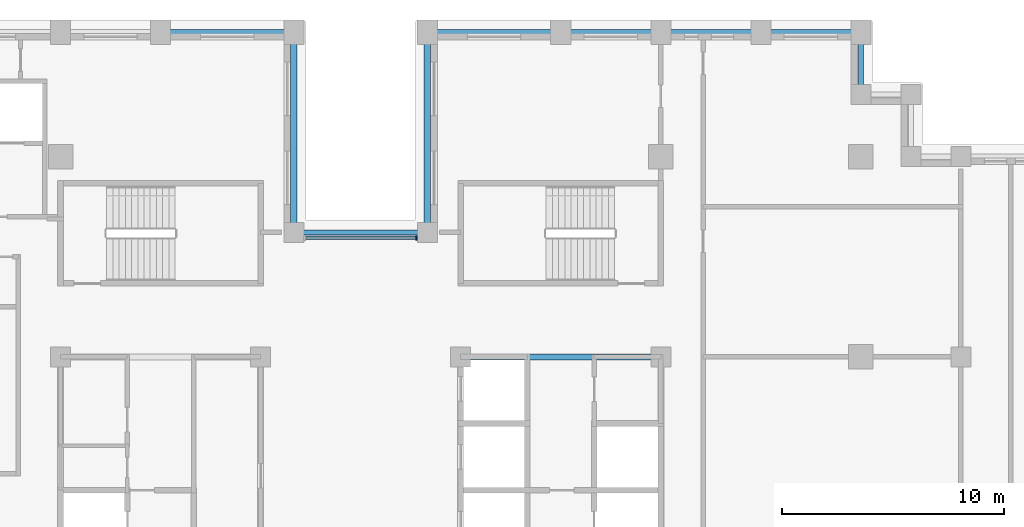
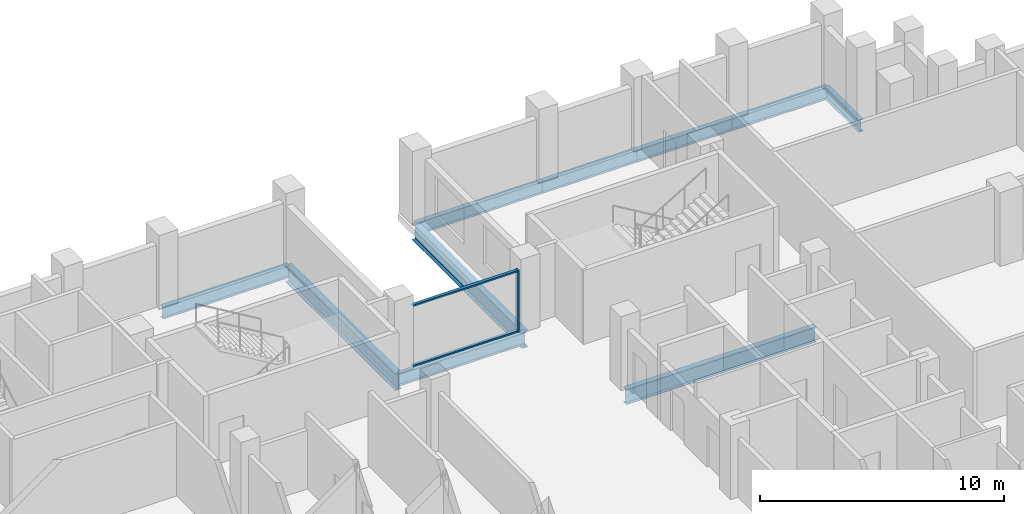
# One storey, part 4 of 15: 10 beams, 3 members, 1 element without a shape of its own.
"""IFC4 building model written with IfcOpenShell, lengths in metres."""

from ifc_helpers import new_model, si_unit, direction, frame, origin, origin_2d, place, context, subcontext, project, spatial, rectangle, i_section, extrude, material, layer, layer_set, material_profile, profile_set, type_object, element, aggregate, save


model = new_model("IFC4")

# Units and contexts
model_context = context("Model", 3, precision=1e-05, world=origin(), true_north=direction((0.0, 1.0)))
body_context = subcontext(model_context, "Body", "Model", "MODEL_VIEW")
ifc_project = project(units=[si_unit("LENGTHUNIT", "METRE"), si_unit("AREAUNIT", "SQUARE_METRE"), si_unit("VOLUMEUNIT", "CUBIC_METRE"), si_unit("PLANEANGLEUNIT", "RADIAN"), si_unit("MASSUNIT", "GRAM", prefix="KILO")], contexts=[model_context])

# Site, building, storey
site_placement = place(None, origin())
site = spatial("IfcSite", under=ifc_project, at=site_placement, CompositionType="ELEMENT")
building_placement = place(site_placement, origin())
building = spatial("IfcBuilding", under=site, at=building_placement, Name="Corbelhall Arena Tower", CompositionType="ELEMENT")
storey_placement = place(building_placement, frame((0.0, 0.0, 146.0)))
storey = spatial("IfcBuildingStorey", under=building, at=storey_placement, Name="L28", CompositionType="ELEMENT", Elevation=146.0)

# Curtain wall, members
ifc_material_1 = material(Name="Aluminium black anodised", Category="aluminium")
ifc_layer = layer(ifc_material_1, 0.199951171875)
ifc_layer_set = layer_set([ifc_layer], Name="EV-CW1 Slot back wall")
curtain_wall_type = type_object("IfcCurtainWallType", Name="EV-CW1 Slot back wall", PredefinedType="NOTDEFINED", material=ifc_layer_set)
curtain_wall_placement = place(storey_placement, origin())
curtain_wall = element("IfcCurtainWall", 1, at=curtain_wall_placement, inside=storey, type_object=curtain_wall_type, Name="Curtain wall CW1", PredefinedType="NOTDEFINED")
ifc_material_profile_1 = material_profile(ifc_material_1, rectangle(XDim=0.199951171875, YDim=0.074951171875, at=origin_2d()))
ifc_profile_set_1 = profile_set([ifc_material_profile_1], Name="Aluminium black anodised")
member_type_1 = type_object("IfcMemberType", Name="EV-CW1-MULLION", PredefinedType="MULLION", material=ifc_profile_set_1)
member_1_placement = place(storey_placement, frame((2.512451171875, 14.35009765625, 0.0), z_axis=(0.0, 0.0, 1.0), x_axis=(0.0, -1.0, 0.0)))
member_1 = element("IfcMember", 2, at=member_1_placement, type_object=member_type_1, Name="CW1 mullion 1", PredefinedType="MULLION", context=body_context, shape_type="SweptSolid", body=[
    extrude(rectangle(XDim=0.199951171875, YDim=0.074951171875, at=origin_2d()), origin(), (0.0, 0.0, 1.0), 3.10009765625),
])
ifc_material_profile_2 = material_profile(ifc_material_1, rectangle(XDim=0.14990234375, YDim=0.074951171875, at=origin_2d()))
ifc_profile_set_2 = profile_set([ifc_material_profile_2], Name="Aluminium black anodised")
member_type_2 = type_object("IfcMemberType", Name="EV-CW1-TRANSOM", PredefinedType="USERDEFINED", material=ifc_profile_set_2)
member_2_placement = place(storey_placement, frame((2.47509765625, 14.35009765625, 0.03759765625), z_axis=(-1.0, 0.0, 0.0), x_axis=(0.0, -1.0, 0.0)))
member_2 = element("IfcMember", 3, at=member_2_placement, type_object=member_type_2, Name="CW1 transom 1.1", ObjectType="transom", PredefinedType="USERDEFINED", context=body_context, shape_type="SweptSolid", body=[
    extrude(rectangle(XDim=0.14990234375, YDim=0.074951171875, at=origin_2d()), origin(), (0.0, 0.0, 1.0), 4.9501953125),
])
member_3_placement = place(storey_placement, frame((2.47509765625, 14.35009765625, 3.0625), z_axis=(-1.0, 0.0, 0.0), x_axis=(0.0, -1.0, 0.0)))
member_3 = element("IfcMember", 4, at=member_3_placement, type_object=member_type_2, Name="CW1 transom 1.2", ObjectType="transom", PredefinedType="USERDEFINED", context=body_context, shape_type="SweptSolid", body=[
    extrude(rectangle(XDim=0.14990234375, YDim=0.074951171875, at=origin_2d()), origin(), (0.0, 0.0, 1.0), 4.9501953125),
])
aggregate(curtain_wall, [member_1, member_2, member_3])

# Beams
ifc_material_2 = material(Name="Steel ASTM A992 Gr50", Category="steel")
ifc_material_profile_3 = material_profile(ifc_material_2, i_section(OverallWidth=0.2666015625, OverallDepth=0.761962890625, WebThickness=0.014404296875, FlangeThickness=0.021484375, at=origin_2d()))
ifc_profile_set_3 = profile_set([ifc_material_profile_3], Name="Steel ASTM A992 Gr50")
beam_type_1 = type_object("IfcBeamType", Name="ST-BEAM-W30x116", PredefinedType="BEAM", material=ifc_profile_set_3)
beam_1_placement = place(storey_placement, frame((4.5, 9.0, -0.680908203125), z_axis=(1.0, 0.0, 0.0), x_axis=(0.0, 1.0, 0.0)))
element("IfcBeam", 5, at=beam_1_placement, inside=storey, type_object=beam_type_1, Name="Beam CEE 12", PredefinedType="BEAM", context=body_context, shape_type="SweptSolid", body=[
    extrude(i_section(OverallWidth=0.2666015625, OverallDepth=0.761962890625, WebThickness=0.014404296875, FlangeThickness=0.021484375, at=origin_2d()), origin(), (0.0, 0.0, 1.0), 9.0),
])
ifc_material_profile_4 = material_profile(ifc_material_2, i_section(OverallWidth=0.22900390625, OverallDepth=0.612060546875, WebThickness=0.011962890625, FlangeThickness=0.01953125, at=origin_2d()))
ifc_profile_set_4 = profile_set([ifc_material_profile_4], Name="Steel ASTM A992 Gr50")
beam_type_2 = type_object("IfcBeamType", Name="ST-SPANDREL-W24x84", PredefinedType="SPANDREL", material=ifc_profile_set_4)
beam_2_placement = place(storey_placement, frame((3.0, 23.60009765625, -0.60595703125), z_axis=(1.0, 0.0, 0.0), x_axis=(0.0, 1.0, 0.0)))
element("IfcBeam", 6, at=beam_2_placement, inside=storey, type_object=beam_type_2, Name="Beam SP 17", PredefinedType="SPANDREL", context=body_context, shape_type="SweptSolid", body=[
    extrude(i_section(OverallWidth=0.22900390625, OverallDepth=0.612060546875, WebThickness=0.011962890625, FlangeThickness=0.01953125, at=origin_2d()), origin(), (0.0, 0.0, 1.0), 6.0),
])
for number, where, z_axis, x_axis, name in (
    (7, (9.0, 23.60009765625, -0.60595703125), (1.0, 0.0, 0.0), (0.0, 1.0, 0.0), "Beam SP 18"),
    (8, (13.5, 23.60009765625, -0.60595703125), (1.0, 0.0, 0.0), (0.0, 1.0, 0.0), "Beam SP 19"),
    (9, (18.0, 23.60009765625, -0.60595703125), (1.0, 0.0, 0.0), (0.0, 1.0, 0.0), "Beam SP 20"),
):
    element("IfcBeam", number, at=place(storey_placement, frame(where, z_axis=z_axis, x_axis=x_axis)), inside=storey, type_object=beam_type_2, Name=name, PredefinedType="SPANDREL", context=body_context, shape_type="SweptSolid", body=[
        extrude(i_section(OverallWidth=0.22900390625, OverallDepth=0.612060546875, WebThickness=0.011962890625, FlangeThickness=0.01953125, at=origin_2d()), origin(), (0.0, 0.0, 1.0), 4.5),
    ])
beam_3_placement = place(storey_placement, frame((22.5, 23.60009765625, -0.60595703125), z_axis=(0.0, -1.0, 0.0), x_axis=(1.0, 0.0, 0.0)))
element("IfcBeam", 10, at=beam_3_placement, inside=storey, type_object=beam_type_2, Name="Beam SP 21", PredefinedType="SPANDREL", context=body_context, shape_type="SweptSolid", body=[
    extrude(i_section(OverallWidth=0.22900390625, OverallDepth=0.612060546875, WebThickness=0.011962890625, FlangeThickness=0.01953125, at=origin_2d()), origin(), (0.0, 0.0, 1.0), 2.800048828125),
])
for number, where, z_axis, x_axis, name in (
    (11, (-9.0, 23.60009765625, -0.60595703125), (1.0, 0.0, 0.0), (0.0, 1.0, 0.0), "Beam SP 23"),
    (12, (-3.0, 14.60009765625, -0.60595703125), (1.0, 0.0, 0.0), (0.0, 1.0, 0.0), "Beam SP 40"),
):
    element("IfcBeam", number, at=place(storey_placement, frame(where, z_axis=z_axis, x_axis=x_axis)), inside=storey, type_object=beam_type_2, Name=name, PredefinedType="SPANDREL", context=body_context, shape_type="SweptSolid", body=[
        extrude(i_section(OverallWidth=0.22900390625, OverallDepth=0.612060546875, WebThickness=0.011962890625, FlangeThickness=0.01953125, at=origin_2d()), origin(), (0.0, 0.0, 1.0), 6.0),
    ])
ifc_material_profile_5 = material_profile(ifc_material_2, i_section(OverallWidth=0.2919921875, OverallDepth=0.845703125, WebThickness=0.015380859375, FlangeThickness=0.0244140625, at=origin_2d()))
ifc_profile_set_5 = profile_set([ifc_material_profile_5], Name="Steel ASTM A992 Gr50")
beam_type_3 = type_object("IfcBeamType", Name="ST-SPANDREL-W33x141", PredefinedType="SPANDREL", material=ifc_profile_set_5)
for number, where, z_axis, x_axis, name in (
    (13, (-3.0, 23.60009765625, -0.722900390625), (0.0, -1.0, 0.0), (1.0, 0.0, 0.0), "Beam SP 22"),
    (14, (3.0, 14.60009765625, -0.722900390625), (0.0, 1.0, 0.0), (-1.0, 0.0, 0.0), "Beam SP 39"),
):
    element("IfcBeam", number, at=place(storey_placement, frame(where, z_axis=z_axis, x_axis=x_axis)), inside=storey, type_object=beam_type_3, Name=name, PredefinedType="SPANDREL", context=body_context, shape_type="SweptSolid", body=[
        extrude(i_section(OverallWidth=0.2919921875, OverallDepth=0.845703125, WebThickness=0.015380859375, FlangeThickness=0.0244140625, at=origin_2d()), origin(), (0.0, 0.0, 1.0), 9.0),
    ])

save(model, "model.ifc")
